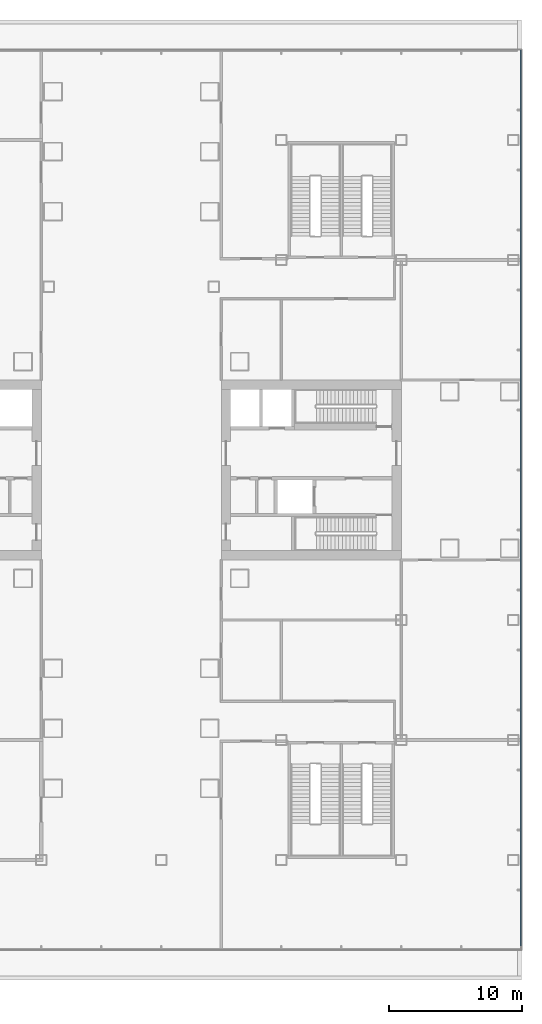
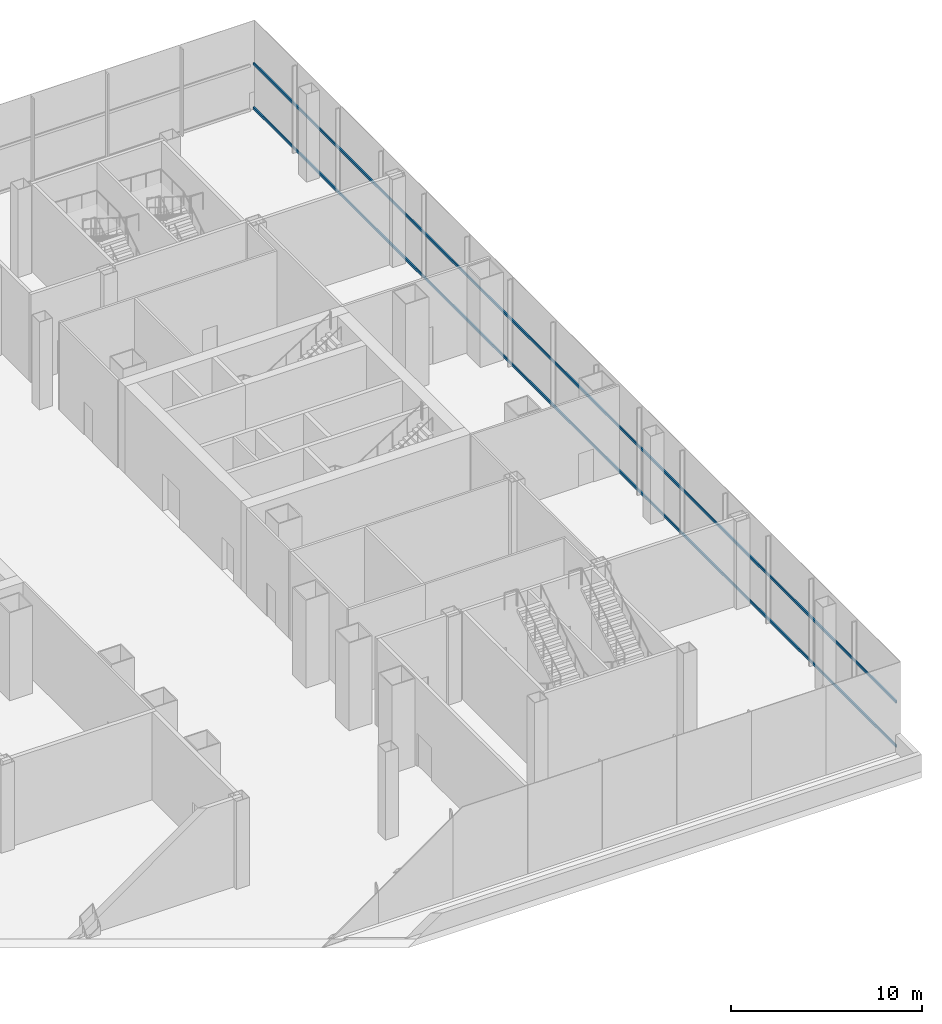
# One storey, part 17 of 38: 2 members, 1 element without a shape of its own.
"""IFC4 building model written with IfcOpenShell, lengths in metres."""

from ifc_helpers import new_model, si_unit, direction, frame, origin, origin_2d, place, context, subcontext, project, spatial, rectangle, extrude, material, layer, layer_set, material_profile, profile_set, type_object, element, aggregate, save


model = new_model("IFC4")

# Units and contexts
model_context = context("Model", 3, precision=1e-05, world=origin(), true_north=direction((0.0, 1.0)))
body_context = subcontext(model_context, "Body", "Model", "MODEL_VIEW")
ifc_project = project(units=[si_unit("LENGTHUNIT", "METRE"), si_unit("AREAUNIT", "SQUARE_METRE"), si_unit("VOLUMEUNIT", "CUBIC_METRE"), si_unit("PLANEANGLEUNIT", "RADIAN"), si_unit("MASSUNIT", "GRAM", prefix="KILO")], contexts=[model_context])

# Site, building, storey
site_placement = place(None, origin())
site = spatial("IfcSite", under=ifc_project, at=site_placement, CompositionType="ELEMENT")
building_placement = place(site_placement, origin())
building = spatial("IfcBuilding", under=site, at=building_placement, Name="Shamsa Quay Exchange Towers", CompositionType="ELEMENT")
storey_placement = place(building_placement, frame((0.0, 0.0, 12.5)))
storey = spatial("IfcBuildingStorey", under=building, at=storey_placement, Name="L02", CompositionType="ELEMENT", Elevation=12.5)

# Curtain wall, members
ifc_material = material(Name="Aluminium EN AW-6063 T6, black anodised", Category="aluminium")
ifc_layer = layer(ifc_material, 0.33203125)
ifc_layer_set = layer_set([ifc_layer], Name="CW-3 PODIUM SHOPFRONT GLAZING")
curtain_wall_type = type_object("IfcCurtainWallType", Name="CW-3 PODIUM SHOPFRONT GLAZING", PredefinedType="NOTDEFINED", material=ifc_layer_set)
curtain_wall_placement = place(storey_placement, origin())
curtain_wall = element("IfcCurtainWall", 1, at=curtain_wall_placement, inside=storey, type_object=curtain_wall_type, Name="CW3 PODIUM-L02-F00", PredefinedType="NOTDEFINED")
ifc_material_profile = material_profile(ifc_material, rectangle(XDim=0.080078125, YDim=0.159912109375, at=origin_2d()), Name="TR160x80")
ifc_profile_set = profile_set([ifc_material_profile], Name="Aluminium EN AW-6063 T6, black anodised")
member_type = type_object("IfcMemberType", Name="CW3 TRANSOM 160x80", PredefinedType="USERDEFINED", material=ifc_profile_set)
member_1_placement = place(storey_placement, frame((62.9599609375, -35.697998046875, 0.080078125), z_axis=(0.0, 1.0, 0.0), x_axis=(-1.0, 0.0, 0.0)))
member_1 = element("IfcMember", 2, at=member_1_placement, type_object=member_type, Name="CW3 transom", ObjectType="TRANSOM", PredefinedType="USERDEFINED", context=body_context, shape_type="SweptSolid", body=[
    extrude(rectangle(XDim=0.080078125, YDim=0.159912109375, at=origin_2d()), origin(), (0.0, 0.0, 1.0), 67.197998046875),
])
member_2_placement = place(storey_placement, frame((62.9599609375, -35.697998046875, 2.905029296875), z_axis=(0.0, 1.0, 0.0), x_axis=(-1.0, 0.0, 0.0)))
member_2 = element("IfcMember", 3, at=member_2_placement, type_object=member_type, Name="CW3 transom", ObjectType="TRANSOM", PredefinedType="USERDEFINED", context=body_context, shape_type="SweptSolid", body=[
    extrude(rectangle(XDim=0.080078125, YDim=0.159912109375, at=origin_2d()), origin(), (0.0, 0.0, 1.0), 67.197998046875),
])
aggregate(curtain_wall, [member_1, member_2])

save(model, "model.ifc")
